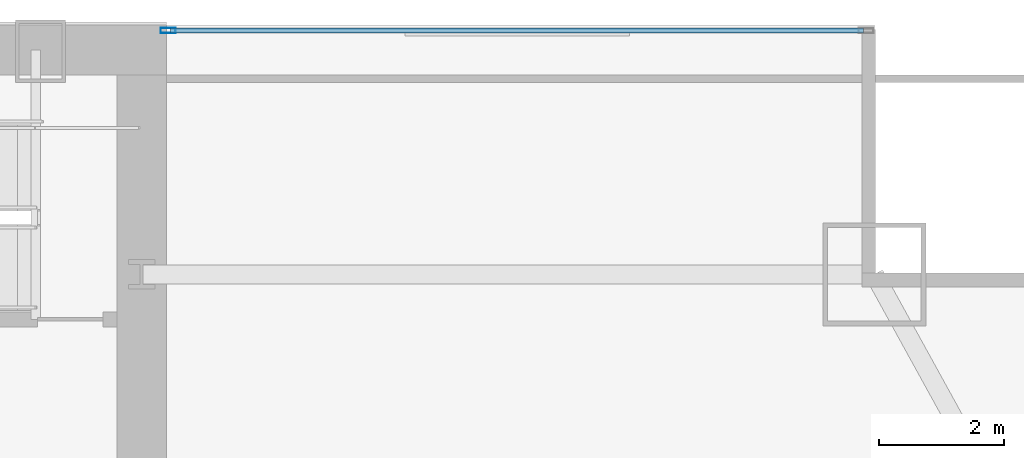
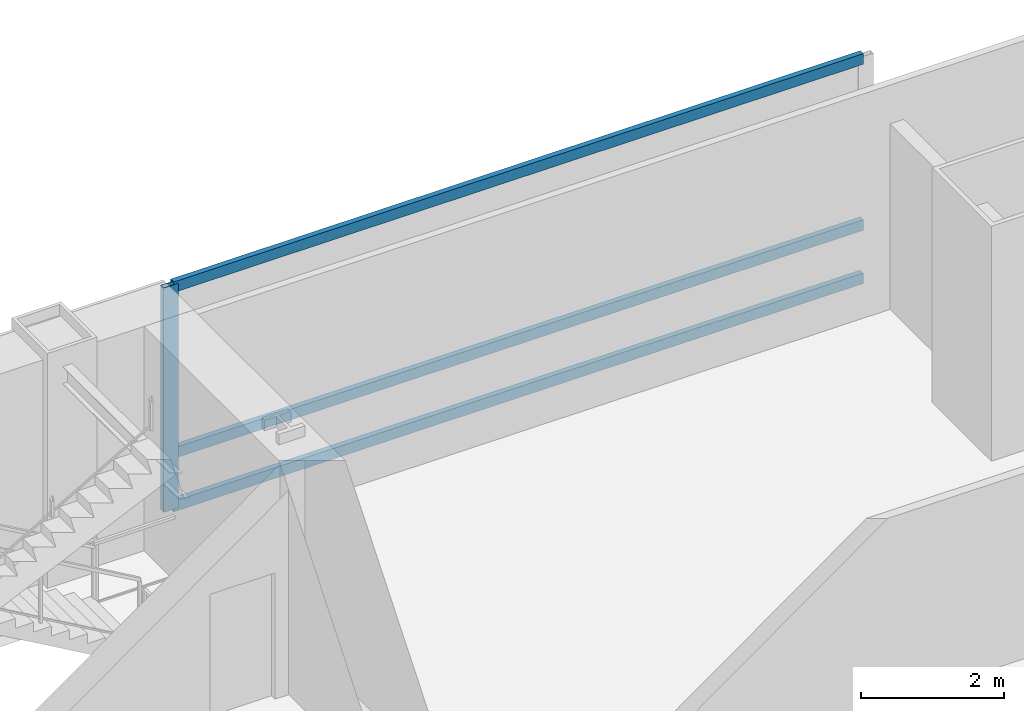
# One storey, part 20 of 32: 4 members, 1 element without a shape of its own.
"""IFC4 building model written with IfcOpenShell, lengths in metres."""

from ifc_helpers import new_model, si_unit, direction, frame, origin, origin_2d, place, context, subcontext, project, spatial, hollow_rectangle, extrude, material, material_profile, profile_set, type_object, element, aggregate, save


model = new_model("IFC4")

# Units and contexts
model_context = context("Model", 3, precision=1e-05, world=origin(), true_north=direction((0.0, 1.0)))
body_context = subcontext(model_context, "Body", "Model", "MODEL_VIEW")
ifc_project = project(units=[si_unit("LENGTHUNIT", "METRE"), si_unit("AREAUNIT", "SQUARE_METRE"), si_unit("VOLUMEUNIT", "CUBIC_METRE"), si_unit("PLANEANGLEUNIT", "RADIAN"), si_unit("MASSUNIT", "GRAM", prefix="KILO")], contexts=[model_context])

# Site, building, storey
site_placement = place(None, origin())
site = spatial("IfcSite", under=ifc_project, at=site_placement, CompositionType="ELEMENT")
building_placement = place(site_placement, origin())
building = spatial("IfcBuilding", under=site, at=building_placement, Name="Khoronbel Lancet Exchange", CompositionType="ELEMENT")
storey_placement = place(building_placement, frame((0.0, 0.0, 65.800048828125)))
storey = spatial("IfcBuildingStorey", under=building, at=storey_placement, Name="L15", CompositionType="ELEMENT", Elevation=65.800048828125)

# Curtain wall, members
ifc_material_1 = material(Name="Low-E Solar Control Insulating Glass", Category="glass")
curtain_wall_type = type_object("IfcCurtainWallType", Name="CW-1", PredefinedType="NOTDEFINED", material=ifc_material_1)
curtain_wall_placement = place(storey_placement, origin())
curtain_wall = element("IfcCurtainWall", 1, at=curtain_wall_placement, inside=storey, type_object=curtain_wall_type, Name="Unitised curtain wall CW-L15-NEFLK", PredefinedType="NOTDEFINED")
ifc_material_2 = material(Name="Bronze-Anodised Aluminium 6063-T6", Category="aluminium")
ifc_material_profile_1 = material_profile(ifc_material_2, hollow_rectangle(XDim=0.0849609375, YDim=0.239990234375, WallThickness=0.006103515625, at=origin_2d()), Name="ALU MULLION 85x240")
ifc_profile_set_1 = profile_set([ifc_material_profile_1], Name="Bronze-Anodised Aluminium 6063-T6")
member_type_1 = type_object("IfcMemberType", Name="MEM-CWM1", PredefinedType="MULLION", material=ifc_profile_set_1)
member_1_placement = place(storey_placement, frame((56.722412109375, 53.610107421875, 0.0), z_axis=(0.0, 0.0, 1.0), x_axis=(0.0, -1.0, 0.0)))
member_1 = element("IfcMember", 2, at=member_1_placement, type_object=member_type_1, Name="CW1 mullion 2", PredefinedType="MULLION", context=body_context, shape_type="SweptSolid", body=[
    extrude(hollow_rectangle(XDim=0.0849609375, YDim=0.239990234375, WallThickness=0.006103515625, at=origin_2d()), origin(), (0.0, 0.0, 1.0), 3.820068359375),
])
ifc_material_profile_2 = material_profile(ifc_material_2, hollow_rectangle(XDim=0.0849609375, YDim=0.179931640625, WallThickness=0.0048828125, at=origin_2d()), Name="ALU TRANSOM 85x180")
ifc_profile_set_2 = profile_set([ifc_material_profile_2], Name="Bronze-Anodised Aluminium 6063-T6")
member_type_2 = type_object("IfcMemberType", Name="MEM-CWT1", PredefinedType="USERDEFINED", material=ifc_profile_set_2)
member_2_placement = place(storey_placement, frame((67.875, 53.610107421875, 0.04248046875), z_axis=(-1.0, 0.0, 0.0), x_axis=(0.0, -1.0, 0.0)))
member_2 = element("IfcMember", 3, at=member_2_placement, type_object=member_type_2, Name="CW1 transom 1.1", ObjectType="TRANSOM", PredefinedType="USERDEFINED", context=body_context, shape_type="SweptSolid", body=[
    extrude(hollow_rectangle(XDim=0.0849609375, YDim=0.179931640625, WallThickness=0.0048828125, at=origin_2d()), origin(), (0.0, 0.0, 1.0), 11.110107421875),
])
member_3_placement = place(storey_placement, frame((67.875, 53.610107421875, 0.949951171875), z_axis=(-1.0, 0.0, 0.0), x_axis=(0.0, -1.0, 0.0)))
member_3 = element("IfcMember", 4, at=member_3_placement, type_object=member_type_2, Name="CW1 transom 1.2", ObjectType="TRANSOM", PredefinedType="USERDEFINED", context=body_context, shape_type="SweptSolid", body=[
    extrude(hollow_rectangle(XDim=0.0849609375, YDim=0.179931640625, WallThickness=0.0048828125, at=origin_2d()), origin(), (0.0, 0.0, 1.0), 11.110107421875),
])
member_4_placement = place(storey_placement, frame((67.875, 53.610107421875, 3.77734375), z_axis=(-1.0, 0.0, 0.0), x_axis=(0.0, -1.0, 0.0)))
member_4 = element("IfcMember", 5, at=member_4_placement, type_object=member_type_2, Name="CW1 transom 1.3", ObjectType="TRANSOM", PredefinedType="USERDEFINED", context=body_context, shape_type="SweptSolid", body=[
    extrude(hollow_rectangle(XDim=0.0849609375, YDim=0.179931640625, WallThickness=0.0048828125, at=origin_2d()), origin(), (0.0, 0.0, 1.0), 11.110107421875),
])
aggregate(curtain_wall, [member_1, member_2, member_3, member_4])

save(model, "model.ifc")
